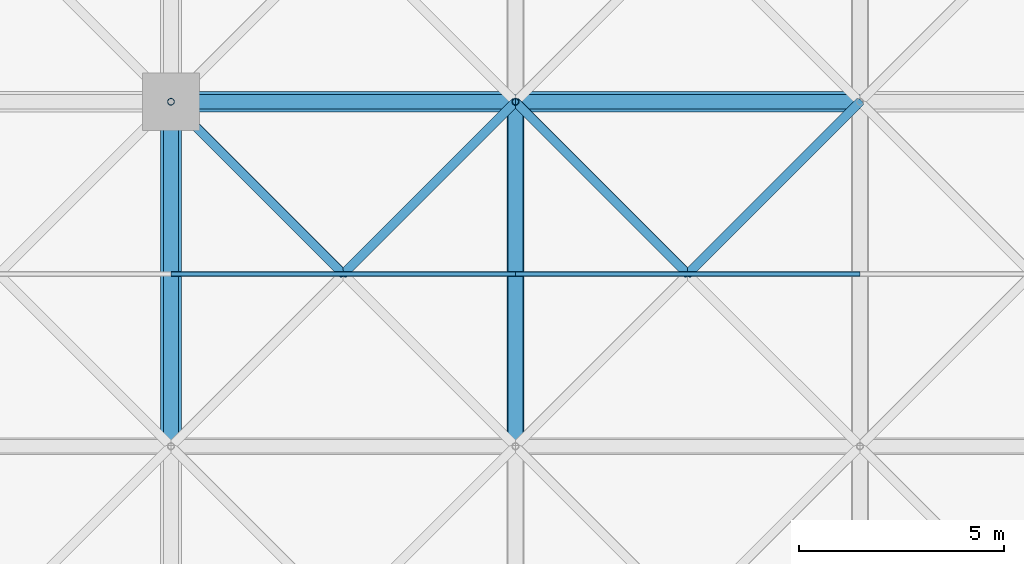
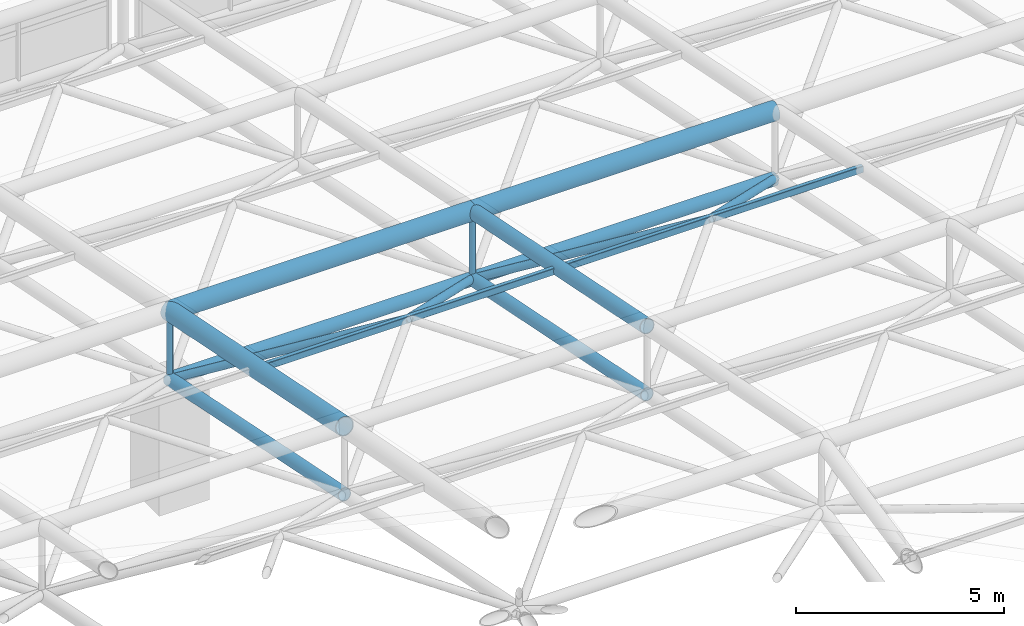
# One storey, part 34 of 81: 16 members.
"""IFC4 building model written with IfcOpenShell, lengths in metres."""

import ifcopenshell
import ifcopenshell.guid

model = None  # the IFC model being written
_history = None  # IfcOwnerHistory: only IFC2X3 demands one
_inside = {}  # id of a spatial element -> (the spatial element, [elements in it])
_under = {}  # id of a project, library or spatial element -> (it, [spatial elements below it])
_declared = {}  # id of a project -> (the project, [libraries it declares])
_typed = {}  # id of a type object -> (the type object, [elements of that type])
_made_of = {}  # id of a material, layer set ... -> (it, [elements and type objects made of it])


def new_model(schema):
    """Start an empty IFC model of exactly this schema.

    Asked for "IFC4X3", IfcOpenShell would pick the latest addendum, in which some entities
    have other attributes; the version numbers below select the first issue.
    IFC2X3 requires an IfcOwnerHistory on every rooted entity: one is made here for all.
    """
    global model, _history
    if schema == "IFC4X3":
        model = ifcopenshell.file(schema_version=(4, 3, 0, 0))
    else:
        model = ifcopenshell.file(schema=schema)
    _inside.clear()
    _under.clear()
    _declared.clear()
    _typed.clear()
    _made_of.clear()
    _history = None
    if model.schema == "IFC2X3":
        org = make("IfcOrganization", Name="unknown")
        user = make(
            "IfcPersonAndOrganization",
            ThePerson=make("IfcPerson", FamilyName="unknown"),
            TheOrganization=org,
        )
        app = make(
            "IfcApplication",
            ApplicationDeveloper=org,
            Version="unknown",
            ApplicationFullName="unknown",
            ApplicationIdentifier="unknown",
        )
        _history = make(
            "IfcOwnerHistory",
            OwningUser=user,
            OwningApplication=app,
            ChangeAction="ADDED",
            CreationDate=0,
        )
    return model


def make(cls, **values):
    """One entity of the class cls with the attributes given. An attribute that is None is left unset."""
    return model.create_entity(
        cls, **{name: value for name, value in values.items() if value is not None}
    )


def rooted(cls, **values):
    """An entity with a GlobalId (a new one), such as an element, a storey or a relation."""
    return make(cls, GlobalId=ifcopenshell.guid.new(), OwnerHistory=_history, **values)


def si_unit(unit_type, name, prefix=None):
    """IfcSIUnit, for example si_unit("LENGTHUNIT", "METRE", prefix="MILLI")."""
    return make("IfcSIUnit", UnitType=unit_type, Prefix=prefix, Name=name)


def assignment(units):
    """IfcUnitAssignment: the units of a project."""
    return None if units is None else make("IfcUnitAssignment", Units=units)


def point(xyz):
    """IfcCartesianPoint."""
    return None if xyz is None else make("IfcCartesianPoint", Coordinates=xyz)


def direction(xyz):
    """IfcDirection."""
    return None if xyz is None else make("IfcDirection", DirectionRatios=xyz)


def frame(location, z_axis=None, x_axis=None):
    """IfcAxis2Placement3D, a coordinate frame: its origin and axes. An axis left out is left unset."""
    return make(
        "IfcAxis2Placement3D",
        Location=point(location),
        Axis=direction(z_axis),
        RefDirection=direction(x_axis),
    )


def frame_2d(location, x_axis=None):
    """IfcAxis2Placement2D, a coordinate frame in the plane: its origin and x axis."""
    return make(
        "IfcAxis2Placement2D", Location=point(location), RefDirection=direction(x_axis)
    )


def origin():
    """The frame at (0, 0, 0) with its axes left unset."""
    return frame((0.0, 0.0, 0.0))


def origin_2d():
    """The frame at (0, 0) in the plane with its x axis left unset."""
    return frame_2d((0.0, 0.0))


def place(relative_to, where):
    """IfcLocalPlacement: puts the frame where relative to a parent placement (None: the world)."""
    return make(
        "IfcLocalPlacement", PlacementRelTo=relative_to, RelativePlacement=where
    )


def context(
    kind, dimensions, precision=None, world=None, true_north=None, identifier=None
):
    """IfcGeometricRepresentationContext, for example the 3D "Model" context."""
    return make(
        "IfcGeometricRepresentationContext",
        ContextIdentifier=identifier,
        ContextType=kind,
        CoordinateSpaceDimension=dimensions,
        Precision=precision,
        WorldCoordinateSystem=world,
        TrueNorth=true_north,
    )


def subcontext(parent, identifier, kind, view, scale=None):
    """IfcGeometricRepresentationSubContext, for example "Body" below "Model"."""
    return make(
        "IfcGeometricRepresentationSubContext",
        ContextIdentifier=identifier,
        ContextType=kind,
        ParentContext=parent,
        TargetScale=scale,
        TargetView=view,
    )


def project(units=None, contexts=None):
    """IfcProject with its units and contexts."""
    return rooted(
        "IfcProject",
        Name="project",
        RepresentationContexts=contexts,
        UnitsInContext=assignment(units),
    )


def spatial(cls, under=None, at=None, **own):
    """A site, building, storey or space (cls), placed at a placement, below another one or the project."""
    s = rooted(cls, ObjectPlacement=at, **own)
    if under is not None:
        _under.setdefault(under.id(), (under, []))[1].append(s)
    return s


def profile(cls, at=None, kind="AREA", **sizes):
    """A parametric profile (cls). Its sizes go by their IFC names, for example OverallWidth=200.0."""
    return make(cls, ProfileType=kind, Position=at, **sizes)


def hollow_rectangle(**sizes):
    """IfcRectangleHollowProfileDef."""
    return profile("IfcRectangleHollowProfileDef", **sizes)


def hollow_circle(**sizes):
    """IfcCircleHollowProfileDef."""
    return profile("IfcCircleHollowProfileDef", **sizes)


def extrude(swept, where, along, depth):
    """IfcExtrudedAreaSolid: the profile swept, set in the frame where, extruded along a direction by depth."""
    return make(
        "IfcExtrudedAreaSolid",
        SweptArea=swept,
        Position=where,
        ExtrudedDirection=direction(along),
        Depth=depth,
    )


def shape(context_of_items, identifier, shape_type, items):
    """IfcShapeRepresentation: the items that make up one representation, for example the "Body"."""
    return make(
        "IfcShapeRepresentation",
        ContextOfItems=context_of_items,
        RepresentationIdentifier=identifier,
        RepresentationType=shape_type,
        Items=items,
    )


def material(Name=None, Category=None):
    """IfcMaterial."""
    return make("IfcMaterial", Name=Name, Category=Category)


def material_profile(
    of_material, cross_section, Name=None, Category=None, Priority=None
):
    """IfcMaterialProfile: a cross section and its material."""
    return make(
        "IfcMaterialProfile",
        Name=Name,
        Material=of_material,
        Profile=cross_section,
        Priority=Priority,
        Category=Category,
    )


def profile_set(profiles, Name=None, composite=None):
    """IfcMaterialProfileSet."""
    return make(
        "IfcMaterialProfileSet",
        Name=Name,
        MaterialProfiles=profiles,
        CompositeProfile=composite,
    )


def made_of(thing, what):
    """Note that an element or type object is made of a material, layer set ...; save() writes the relation."""
    if what is not None:
        _made_of.setdefault(what.id(), (what, []))[1].append(thing)
    return thing


def type_object(cls, material=None, **own):
    """A type object (cls), such as IfcWallType, which elements share."""
    return made_of(rooted(cls, **own), material)


def element(
    cls,
    number,
    at=None,
    inside=None,
    cuts=None,
    type_object=None,
    material=None,
    context=None,
    identifier="Body",
    shape_type=None,
    held_by="IfcProductDefinitionShape",
    body=None,
    shapes=None,
    **own,
):
    """One element of the class cls, such as IfcWall. Its Tag is "e" and its number.

    at: its placement. inside: the storey or other place that contains it. cuts: it is an
    opening in that element (IfcRelVoidsElement). A single representation is given by context,
    identifier, shape_type and body (its items); several are given by shapes. held_by: the class
    of the entity that holds the representations. save() writes the other relations.
    """
    e = rooted(cls, Tag="e%d" % number, ObjectPlacement=at, **own)
    if body is not None:
        shapes = [shape(context, identifier, shape_type, body)]
    if shapes is not None:
        e.Representation = make(held_by, Representations=shapes)
    if inside is not None:
        _inside.setdefault(inside.id(), (inside, []))[1].append(e)
    if cuts is not None:
        rooted(
            "IfcRelVoidsElement", RelatingBuildingElement=cuts, RelatedOpeningElement=e
        )
    if type_object is not None:
        _typed.setdefault(type_object.id(), (type_object, []))[1].append(e)
    return made_of(e, material)


def aggregate(whole, parts):
    """IfcRelAggregates: a whole, such as a stair, and the parts it consists of."""
    return rooted("IfcRelAggregates", RelatingObject=whole, RelatedObjects=parts)


def save(model, path):
    """Write the relations noted so far, then the file.

    IfcRelAggregates (storeys below a building ...), IfcRelContainedInSpatialStructure (elements
    in a storey), IfcRelDefinesByType, IfcRelAssociatesMaterial and IfcRelDeclares: one each for
    every whole, place, type object, material and project.
    """
    for whole, parts in _under.values():
        aggregate(whole, parts)
    for where, things in _inside.values():
        rooted(
            "IfcRelContainedInSpatialStructure",
            RelatedElements=things,
            RelatingStructure=where,
        )
    for kind, things in _typed.values():
        rooted("IfcRelDefinesByType", RelatedObjects=things, RelatingType=kind)
    for what, things in _made_of.values():
        rooted("IfcRelAssociatesMaterial", RelatedObjects=things, RelatingMaterial=what)
    for by, libraries in _declared.values():
        rooted("IfcRelDeclares", RelatingContext=by, RelatedDefinitions=libraries)
    model.write(path)


model = new_model("IFC4")

# Units and contexts
model_context = context("Model", 3, precision=1e-05, world=origin(), true_north=direction((0.0, 1.0)))
body_context = subcontext(model_context, "Body", "Model", "MODEL_VIEW")
ifc_project = project(units=[si_unit("LENGTHUNIT", "METRE"), si_unit("AREAUNIT", "SQUARE_METRE"), si_unit("VOLUMEUNIT", "CUBIC_METRE"), si_unit("PLANEANGLEUNIT", "RADIAN"), si_unit("MASSUNIT", "GRAM", prefix="KILO")], contexts=[model_context])

# Site, building, storey
site_placement = place(None, origin())
site = spatial("IfcSite", under=ifc_project, at=site_placement, CompositionType="ELEMENT")
building_placement = place(site_placement, origin())
building = spatial("IfcBuilding", under=site, at=building_placement, Name="Qawsi Khor Wholesale Market", CompositionType="ELEMENT")
storey_placement = place(building_placement, frame((0.0, 0.0, 16.199951171875)))
storey = spatial("IfcBuildingStorey", under=building, at=storey_placement, Name="L03", CompositionType="ELEMENT", Elevation=16.199951171875)

# Members
ifc_material = material(Name="Steel S355", Category="steel")
ifc_material_profile_1 = material_profile(ifc_material, hollow_circle(Radius=0.177734375, WallThickness=0.01611328125, at=origin_2d()), Name="CHS 355.6x16.0")
ifc_profile_set_1 = profile_set([ifc_material_profile_1], Name="Steel S355")
member_type_1 = type_object("IfcMemberType", Name="Space-Frame Bottom Chord CHS 355.6x16.0", PredefinedType="CHORD", material=ifc_profile_set_1)
member_1_placement = place(storey_placement, frame((16.800048828125, 84.0, 5.070068359375), z_axis=(0.0, 0.980129990483, -0.1983562496), x_axis=(-1.0, 0.0, 0.0)))
element("IfcMember", 1, at=member_1_placement, inside=storey, type_object=member_type_1, Name="Space frame bottom chord Y WH (2,10)", PredefinedType="CHORD", context=body_context, shape_type="SweptSolid", body=[
    extrude(hollow_circle(Radius=0.177734375, WallThickness=0.01611328125, at=origin_2d()), origin(), (0.0, 0.0, 1.0), 8.5703125),
])
member_2_placement = place(storey_placement, frame((16.800048828125, 92.39990234375, 3.3701171875), z_axis=(1.0, 0.0, 0.0), x_axis=(0.0, 1.0, 0.0)))
element("IfcMember", 2, at=member_2_placement, inside=storey, type_object=member_type_1, Name="Space frame bottom chord X WH (2,11)", PredefinedType="CHORD", context=body_context, shape_type="SweptSolid", body=[
    extrude(hollow_circle(Radius=0.177734375, WallThickness=0.01611328125, at=origin_2d()), origin(), (0.0, 0.0, 1.0), 8.39990234375),
])
member_3_placement = place(storey_placement, frame((25.199951171875, 84.0, 5.070068359375), z_axis=(0.0, 0.980129990483, -0.1983562496), x_axis=(-1.0, 0.0, 0.0)))
element("IfcMember", 3, at=member_3_placement, inside=storey, type_object=member_type_1, Name="Space frame bottom chord Y WH (3,10)", PredefinedType="CHORD", context=body_context, shape_type="SweptSolid", body=[
    extrude(hollow_circle(Radius=0.177734375, WallThickness=0.01611328125, at=origin_2d()), origin(), (0.0, 0.0, 1.0), 8.5703125),
])
member_4_placement = place(storey_placement, frame((25.199951171875, 92.39990234375, 3.3701171875), z_axis=(1.0, 0.0, 0.0), x_axis=(0.0, 1.0, 0.0)))
element("IfcMember", 4, at=member_4_placement, inside=storey, type_object=member_type_1, Name="Space frame bottom chord X WH (3,11)", PredefinedType="CHORD", context=body_context, shape_type="SweptSolid", body=[
    extrude(hollow_circle(Radius=0.177734375, WallThickness=0.01611328125, at=origin_2d()), origin(), (0.0, 0.0, 1.0), 8.400146484375),
])
ifc_material_profile_2 = material_profile(ifc_material, hollow_rectangle(XDim=0.1201171875, YDim=0.199951171875, WallThickness=0.008056640625, InnerFilletRadius=0.008056640625, OuterFilletRadius=0.01611328125, at=origin_2d()), Name="RHS 200x120x8.0")
ifc_profile_set_2 = profile_set([ifc_material_profile_2], Name="Steel S355")
member_type_2 = type_object("IfcMemberType", Name="Space-Frame Heavy Purlin RHS 200x120x8.0", PredefinedType="PURLIN", material=ifc_profile_set_2)
member_5_placement = place(storey_placement, frame((16.800048828125, 88.199951171875, 6.219970703125), z_axis=(1.0, 0.0, 0.0), x_axis=(0.0, 1.0, 0.0)))
element("IfcMember", 5, at=member_5_placement, inside=storey, type_object=member_type_2, Name="Space frame purlin WH (2,10)", PredefinedType="PURLIN", context=body_context, shape_type="SweptSolid", body=[
    extrude(hollow_rectangle(XDim=0.1201171875, YDim=0.199951171875, WallThickness=0.008056640625, InnerFilletRadius=0.008056640625, OuterFilletRadius=0.01611328125, at=origin_2d()), origin(), (0.0, 0.0, 1.0), 8.39990234375),
])
member_6_placement = place(storey_placement, frame((25.199951171875, 88.199951171875, 6.219970703125), z_axis=(1.0, 0.0, 0.0), x_axis=(0.0, 1.0, 0.0)))
element("IfcMember", 6, at=member_6_placement, inside=storey, type_object=member_type_2, Name="Space frame purlin WH (3,10)", PredefinedType="PURLIN", context=body_context, shape_type="SweptSolid", body=[
    extrude(hollow_rectangle(XDim=0.1201171875, YDim=0.199951171875, WallThickness=0.008056640625, InnerFilletRadius=0.008056640625, OuterFilletRadius=0.01611328125, at=origin_2d()), origin(), (0.0, 0.0, 1.0), 8.400146484375),
])
ifc_material_profile_3 = material_profile(ifc_material, hollow_circle(Radius=0.109619140625, WallThickness=0.010009765625, at=origin_2d()), Name="CHS 219.1x10.0")
ifc_profile_set_3 = profile_set([ifc_material_profile_3], Name="Steel S355")
member_type_3 = type_object("IfcMemberType", Name="Space-Frame Inner Diagonal CHS 219.1x10.0", PredefinedType="RAFTER", material=ifc_profile_set_3)
for number, where, z_axis, x_axis, name in (
    (7, (25.199951171875, 92.39990234375, 3.3701171875), (-0.637521961484, -0.637521961484, 0.432586982294), (0.707106781187, -0.707106781187, 0.0), "Space frame diagonal WH (2,10)-3"),
    (8, (16.800048828125, 92.39990234375, 3.3701171875), (0.637521961484, -0.637521961484, 0.432586982294), (0.707106781187, 0.707106781187, 0.0), "Space frame diagonal WH (2,10)-4"),
):
    element("IfcMember", number, at=place(storey_placement, frame(where, z_axis=z_axis, x_axis=x_axis)), inside=storey, type_object=member_type_3, Name=name, PredefinedType="RAFTER", context=body_context, shape_type="SweptSolid", body=[
        extrude(hollow_circle(Radius=0.109619140625, WallThickness=0.010009765625, at=origin_2d()), origin(), (0.0, 0.0, 1.0), 6.587890625),
    ])
member_7_placement = place(storey_placement, frame((33.60009765625, 92.39990234375, 3.3701171875), z_axis=(-0.637543957519, -0.637506899628, 0.432576762155), x_axis=(0.70708622964, -0.707127332136, 0.0)))
element("IfcMember", 9, at=member_7_placement, inside=storey, type_object=member_type_3, Name="Space frame diagonal WH (3,10)-3", PredefinedType="RAFTER", context=body_context, shape_type="SweptSolid", body=[
    extrude(hollow_circle(Radius=0.109619140625, WallThickness=0.010009765625, at=origin_2d()), origin(), (0.0, 0.0, 1.0), 6.588134765625),
])
member_8_placement = place(storey_placement, frame((25.199951171875, 92.39990234375, 3.3701171875), z_axis=(0.637521961484, -0.637521961484, 0.432586982294), x_axis=(0.707106781187, 0.707106781187, 0.0)))
element("IfcMember", 10, at=member_8_placement, inside=storey, type_object=member_type_3, Name="Space frame diagonal WH (3,10)-4", PredefinedType="RAFTER", context=body_context, shape_type="SweptSolid", body=[
    extrude(hollow_circle(Radius=0.109619140625, WallThickness=0.010009765625, at=origin_2d()), origin(), (0.0, 0.0, 1.0), 6.587890625),
])
ifc_material_profile_4 = material_profile(ifc_material, hollow_circle(Radius=0.25390625, WallThickness=0.02490234375, at=origin_2d()), Name="CHS 508.0x25.0")
ifc_profile_set_4 = profile_set([ifc_material_profile_4], Name="Steel S355")
member_type_4 = type_object("IfcMemberType", Name="Space-Frame Main Chord CHS 508.0x25.0", PredefinedType="CHORD", material=ifc_profile_set_4)
member_9_placement = place(storey_placement, frame((16.800048828125, 84.0, 7.070068359375), z_axis=(0.0, 0.980129990483, -0.1983562496), x_axis=(-1.0, 0.0, 0.0)))
element("IfcMember", 11, at=member_9_placement, inside=storey, type_object=member_type_4, Name="Space frame top chord Y WH (2,10)", PredefinedType="CHORD", context=body_context, shape_type="SweptSolid", body=[
    extrude(hollow_circle(Radius=0.25390625, WallThickness=0.02490234375, at=origin_2d()), origin(), (0.0, 0.0, 1.0), 8.5703125),
])
member_10_placement = place(storey_placement, frame((16.800048828125, 92.39990234375, 5.3701171875), z_axis=(1.0, 0.0, 0.0), x_axis=(0.0, 1.0, 0.0)))
element("IfcMember", 12, at=member_10_placement, inside=storey, type_object=member_type_4, Name="Space frame top chord X WH (2,11)", PredefinedType="CHORD", context=body_context, shape_type="SweptSolid", body=[
    extrude(hollow_circle(Radius=0.25390625, WallThickness=0.02490234375, at=origin_2d()), origin(), (0.0, 0.0, 1.0), 8.39990234375),
])
member_11_placement = place(storey_placement, frame((25.199951171875, 92.39990234375, 5.3701171875), z_axis=(1.0, 0.0, 0.0), x_axis=(0.0, 1.0, 0.0)))
element("IfcMember", 13, at=member_11_placement, inside=storey, type_object=member_type_4, Name="Space frame top chord X WH (3,11)", PredefinedType="CHORD", context=body_context, shape_type="SweptSolid", body=[
    extrude(hollow_circle(Radius=0.25390625, WallThickness=0.02490234375, at=origin_2d()), origin(), (0.0, 0.0, 1.0), 8.400146484375),
])
ifc_material_profile_5 = material_profile(ifc_material, hollow_circle(Radius=0.203125, WallThickness=0.02001953125, at=origin_2d()), Name="CHS 406.4x20.0")
ifc_profile_set_5 = profile_set([ifc_material_profile_5], Name="Steel S355")
member_type_5 = type_object("IfcMemberType", Name="Space-Frame Top Chord CHS 406.4x20.0", PredefinedType="CHORD", material=ifc_profile_set_5)
member_12_placement = place(storey_placement, frame((25.199951171875, 84.0, 7.070068359375), z_axis=(0.0, 0.980129990483, -0.1983562496), x_axis=(-1.0, 0.0, 0.0)))
element("IfcMember", 14, at=member_12_placement, inside=storey, type_object=member_type_5, Name="Space frame top chord Y WH (3,10)", PredefinedType="CHORD", context=body_context, shape_type="SweptSolid", body=[
    extrude(hollow_circle(Radius=0.203125, WallThickness=0.02001953125, at=origin_2d()), origin(), (0.0, 0.0, 1.0), 8.5703125),
])
ifc_material_profile_6 = material_profile(ifc_material, hollow_circle(Radius=0.084228515625, WallThickness=0.008056640625, at=origin_2d()), Name="CHS 168.3x8.0")
ifc_profile_set_6 = profile_set([ifc_material_profile_6], Name="Steel S355")
member_type_6 = type_object("IfcMemberType", Name="Space-Frame Vertical Strut CHS 168.3x8.0", PredefinedType="STRUT", material=ifc_profile_set_6)
for number, where, z_axis, x_axis, name in (
    (15, (16.800048828125, 92.39990234375, 3.3701171875), (0.0, 0.0, 1.0), (1.0, 0.0, 0.0), "Space frame post WH (2,11)"),
    (16, (25.199951171875, 92.39990234375, 3.3701171875), (0.0, 0.0, 1.0), (1.0, 0.0, 0.0), "Space frame post WH (3,11)"),
):
    element("IfcMember", number, at=place(storey_placement, frame(where, z_axis=z_axis, x_axis=x_axis)), inside=storey, type_object=member_type_6, Name=name, PredefinedType="STRUT", context=body_context, shape_type="SweptSolid", body=[
        extrude(hollow_circle(Radius=0.084228515625, WallThickness=0.008056640625, at=origin_2d()), origin(), (0.0, 0.0, 1.0), 2.0),
    ])

save(model, "model.ifc")
